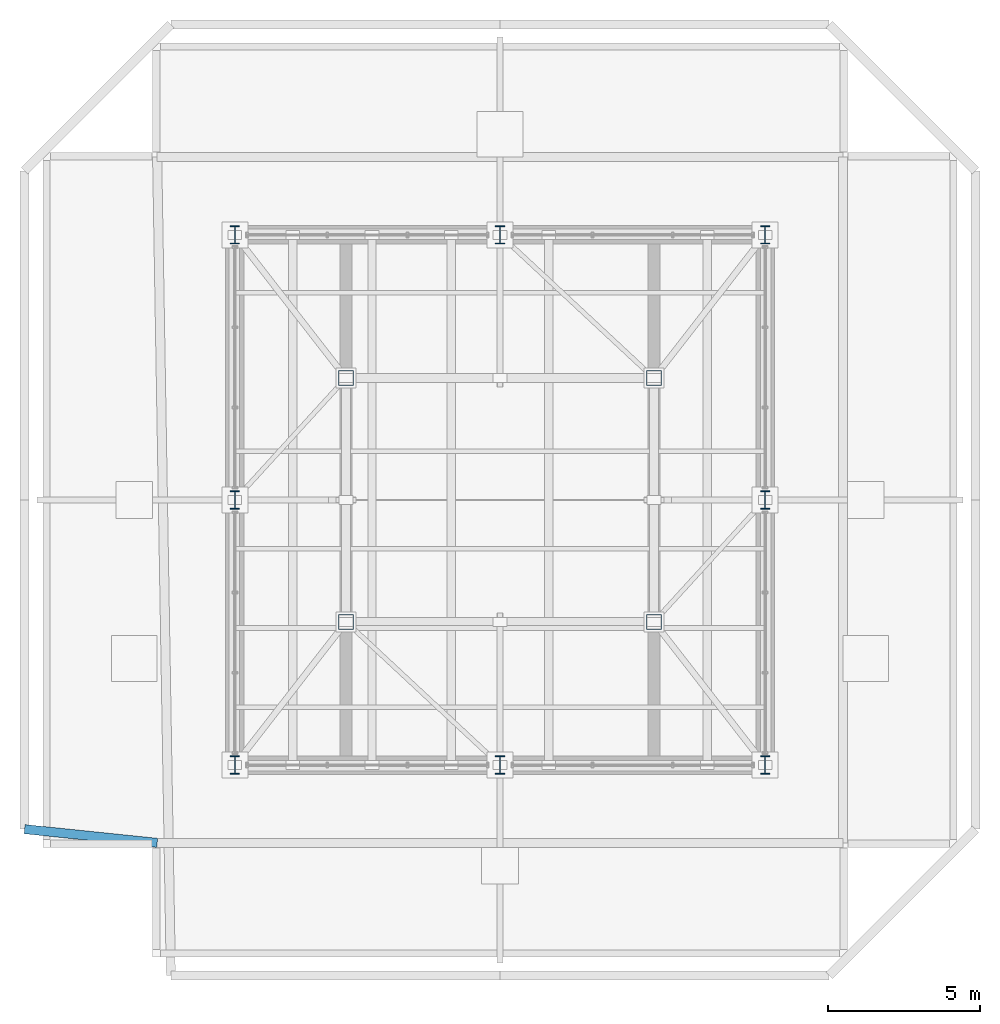
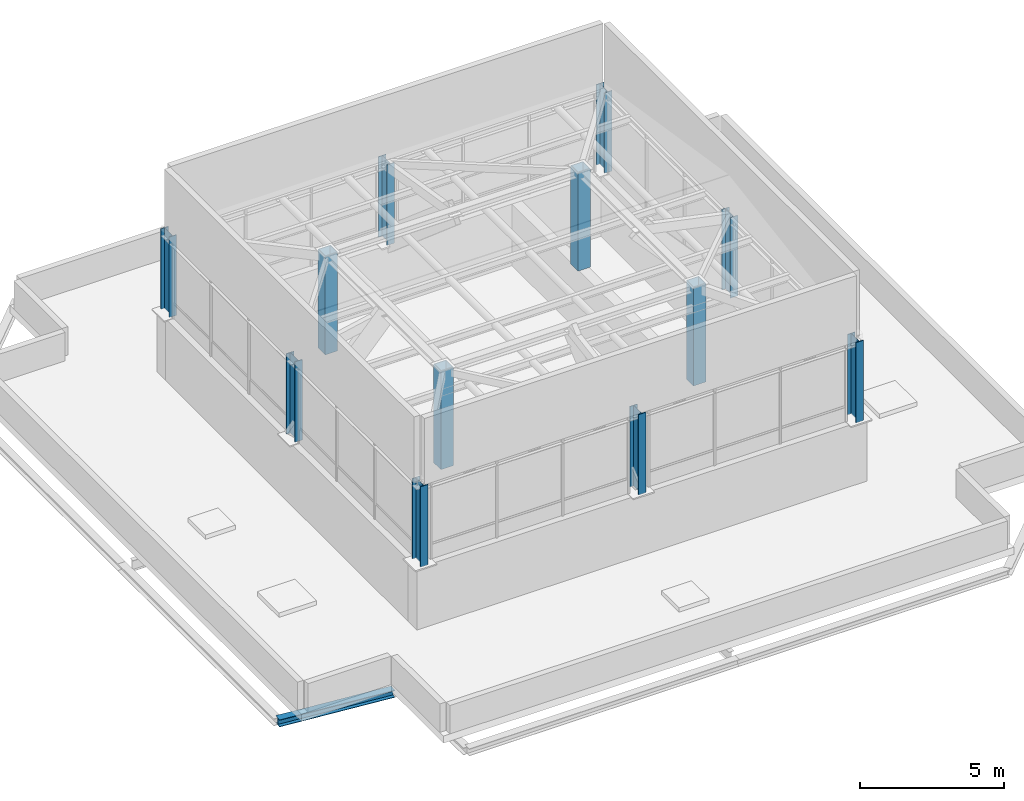
# One storey, part 1 of 22: 12 columns, 1 beam.
"""IFC4 building model written with IfcOpenShell, lengths in metres."""

import ifcopenshell
import ifcopenshell.guid

model = None  # the IFC model being written
_history = None  # IfcOwnerHistory: only IFC2X3 demands one
_inside = {}  # id of a spatial element -> (the spatial element, [elements in it])
_under = {}  # id of a project, library or spatial element -> (it, [spatial elements below it])
_declared = {}  # id of a project -> (the project, [libraries it declares])
_typed = {}  # id of a type object -> (the type object, [elements of that type])
_made_of = {}  # id of a material, layer set ... -> (it, [elements and type objects made of it])


def new_model(schema):
    """Start an empty IFC model of exactly this schema.

    Asked for "IFC4X3", IfcOpenShell would pick the latest addendum, in which some entities
    have other attributes; the version numbers below select the first issue.
    IFC2X3 requires an IfcOwnerHistory on every rooted entity: one is made here for all.
    """
    global model, _history
    if schema == "IFC4X3":
        model = ifcopenshell.file(schema_version=(4, 3, 0, 0))
    else:
        model = ifcopenshell.file(schema=schema)
    _inside.clear()
    _under.clear()
    _declared.clear()
    _typed.clear()
    _made_of.clear()
    _history = None
    if model.schema == "IFC2X3":
        org = make("IfcOrganization", Name="unknown")
        user = make(
            "IfcPersonAndOrganization",
            ThePerson=make("IfcPerson", FamilyName="unknown"),
            TheOrganization=org,
        )
        app = make(
            "IfcApplication",
            ApplicationDeveloper=org,
            Version="unknown",
            ApplicationFullName="unknown",
            ApplicationIdentifier="unknown",
        )
        _history = make(
            "IfcOwnerHistory",
            OwningUser=user,
            OwningApplication=app,
            ChangeAction="ADDED",
            CreationDate=0,
        )
    return model


def make(cls, **values):
    """One entity of the class cls with the attributes given. An attribute that is None is left unset."""
    return model.create_entity(
        cls, **{name: value for name, value in values.items() if value is not None}
    )


def rooted(cls, **values):
    """An entity with a GlobalId (a new one), such as an element, a storey or a relation."""
    return make(cls, GlobalId=ifcopenshell.guid.new(), OwnerHistory=_history, **values)


def si_unit(unit_type, name, prefix=None):
    """IfcSIUnit, for example si_unit("LENGTHUNIT", "METRE", prefix="MILLI")."""
    return make("IfcSIUnit", UnitType=unit_type, Prefix=prefix, Name=name)


def assignment(units):
    """IfcUnitAssignment: the units of a project."""
    return None if units is None else make("IfcUnitAssignment", Units=units)


def point(xyz):
    """IfcCartesianPoint."""
    return None if xyz is None else make("IfcCartesianPoint", Coordinates=xyz)


def direction(xyz):
    """IfcDirection."""
    return None if xyz is None else make("IfcDirection", DirectionRatios=xyz)


def frame(location, z_axis=None, x_axis=None):
    """IfcAxis2Placement3D, a coordinate frame: its origin and axes. An axis left out is left unset."""
    return make(
        "IfcAxis2Placement3D",
        Location=point(location),
        Axis=direction(z_axis),
        RefDirection=direction(x_axis),
    )


def frame_2d(location, x_axis=None):
    """IfcAxis2Placement2D, a coordinate frame in the plane: its origin and x axis."""
    return make(
        "IfcAxis2Placement2D", Location=point(location), RefDirection=direction(x_axis)
    )


def origin():
    """The frame at (0, 0, 0) with its axes left unset."""
    return frame((0.0, 0.0, 0.0))


def origin_2d():
    """The frame at (0, 0) in the plane with its x axis left unset."""
    return frame_2d((0.0, 0.0))


def place(relative_to, where):
    """IfcLocalPlacement: puts the frame where relative to a parent placement (None: the world)."""
    return make(
        "IfcLocalPlacement", PlacementRelTo=relative_to, RelativePlacement=where
    )


def context(
    kind, dimensions, precision=None, world=None, true_north=None, identifier=None
):
    """IfcGeometricRepresentationContext, for example the 3D "Model" context."""
    return make(
        "IfcGeometricRepresentationContext",
        ContextIdentifier=identifier,
        ContextType=kind,
        CoordinateSpaceDimension=dimensions,
        Precision=precision,
        WorldCoordinateSystem=world,
        TrueNorth=true_north,
    )


def subcontext(parent, identifier, kind, view, scale=None):
    """IfcGeometricRepresentationSubContext, for example "Body" below "Model"."""
    return make(
        "IfcGeometricRepresentationSubContext",
        ContextIdentifier=identifier,
        ContextType=kind,
        ParentContext=parent,
        TargetScale=scale,
        TargetView=view,
    )


def project(units=None, contexts=None):
    """IfcProject with its units and contexts."""
    return rooted(
        "IfcProject",
        Name="project",
        RepresentationContexts=contexts,
        UnitsInContext=assignment(units),
    )


def spatial(cls, under=None, at=None, **own):
    """A site, building, storey or space (cls), placed at a placement, below another one or the project."""
    s = rooted(cls, ObjectPlacement=at, **own)
    if under is not None:
        _under.setdefault(under.id(), (under, []))[1].append(s)
    return s


def profile(cls, at=None, kind="AREA", **sizes):
    """A parametric profile (cls). Its sizes go by their IFC names, for example OverallWidth=200.0."""
    return make(cls, ProfileType=kind, Position=at, **sizes)


def hollow_rectangle(**sizes):
    """IfcRectangleHollowProfileDef."""
    return profile("IfcRectangleHollowProfileDef", **sizes)


def i_section(**sizes):
    """IfcIShapeProfileDef."""
    return profile("IfcIShapeProfileDef", **sizes)


def extrude(swept, where, along, depth):
    """IfcExtrudedAreaSolid: the profile swept, set in the frame where, extruded along a direction by depth."""
    return make(
        "IfcExtrudedAreaSolid",
        SweptArea=swept,
        Position=where,
        ExtrudedDirection=direction(along),
        Depth=depth,
    )


def shape(context_of_items, identifier, shape_type, items):
    """IfcShapeRepresentation: the items that make up one representation, for example the "Body"."""
    return make(
        "IfcShapeRepresentation",
        ContextOfItems=context_of_items,
        RepresentationIdentifier=identifier,
        RepresentationType=shape_type,
        Items=items,
    )


def material(Name=None, Category=None):
    """IfcMaterial."""
    return make("IfcMaterial", Name=Name, Category=Category)


def material_profile(
    of_material, cross_section, Name=None, Category=None, Priority=None
):
    """IfcMaterialProfile: a cross section and its material."""
    return make(
        "IfcMaterialProfile",
        Name=Name,
        Material=of_material,
        Profile=cross_section,
        Priority=Priority,
        Category=Category,
    )


def profile_set(profiles, Name=None, composite=None):
    """IfcMaterialProfileSet."""
    return make(
        "IfcMaterialProfileSet",
        Name=Name,
        MaterialProfiles=profiles,
        CompositeProfile=composite,
    )


def made_of(thing, what):
    """Note that an element or type object is made of a material, layer set ...; save() writes the relation."""
    if what is not None:
        _made_of.setdefault(what.id(), (what, []))[1].append(thing)
    return thing


def type_object(cls, material=None, **own):
    """A type object (cls), such as IfcWallType, which elements share."""
    return made_of(rooted(cls, **own), material)


def element(
    cls,
    number,
    at=None,
    inside=None,
    cuts=None,
    type_object=None,
    material=None,
    context=None,
    identifier="Body",
    shape_type=None,
    held_by="IfcProductDefinitionShape",
    body=None,
    shapes=None,
    **own,
):
    """One element of the class cls, such as IfcWall. Its Tag is "e" and its number.

    at: its placement. inside: the storey or other place that contains it. cuts: it is an
    opening in that element (IfcRelVoidsElement). A single representation is given by context,
    identifier, shape_type and body (its items); several are given by shapes. held_by: the class
    of the entity that holds the representations. save() writes the other relations.
    """
    e = rooted(cls, Tag="e%d" % number, ObjectPlacement=at, **own)
    if body is not None:
        shapes = [shape(context, identifier, shape_type, body)]
    if shapes is not None:
        e.Representation = make(held_by, Representations=shapes)
    if inside is not None:
        _inside.setdefault(inside.id(), (inside, []))[1].append(e)
    if cuts is not None:
        rooted(
            "IfcRelVoidsElement", RelatingBuildingElement=cuts, RelatedOpeningElement=e
        )
    if type_object is not None:
        _typed.setdefault(type_object.id(), (type_object, []))[1].append(e)
    return made_of(e, material)


def aggregate(whole, parts):
    """IfcRelAggregates: a whole, such as a stair, and the parts it consists of."""
    return rooted("IfcRelAggregates", RelatingObject=whole, RelatedObjects=parts)


def save(model, path):
    """Write the relations noted so far, then the file.

    IfcRelAggregates (storeys below a building ...), IfcRelContainedInSpatialStructure (elements
    in a storey), IfcRelDefinesByType, IfcRelAssociatesMaterial and IfcRelDeclares: one each for
    every whole, place, type object, material and project.
    """
    for whole, parts in _under.values():
        aggregate(whole, parts)
    for where, things in _inside.values():
        rooted(
            "IfcRelContainedInSpatialStructure",
            RelatedElements=things,
            RelatingStructure=where,
        )
    for kind, things in _typed.values():
        rooted("IfcRelDefinesByType", RelatedObjects=things, RelatingType=kind)
    for what, things in _made_of.values():
        rooted("IfcRelAssociatesMaterial", RelatedObjects=things, RelatingMaterial=what)
    for by, libraries in _declared.values():
        rooted("IfcRelDeclares", RelatingContext=by, RelatedDefinitions=libraries)
    model.write(path)


model = new_model("IFC4")

# Units and contexts
model_context = context("Model", 3, precision=1e-05, world=origin(), true_north=direction((0.0, 1.0)))
body_context = subcontext(model_context, "Body", "Model", "MODEL_VIEW")
ifc_project = project(units=[si_unit("LENGTHUNIT", "METRE"), si_unit("AREAUNIT", "SQUARE_METRE"), si_unit("VOLUMEUNIT", "CUBIC_METRE"), si_unit("PLANEANGLEUNIT", "RADIAN"), si_unit("MASSUNIT", "GRAM", prefix="KILO")], contexts=[model_context])

# Site, building, storey
site_placement = place(None, origin())
site = spatial("IfcSite", under=ifc_project, at=site_placement, CompositionType="ELEMENT")
building_placement = place(site_placement, origin())
building = spatial("IfcBuilding", under=site, at=building_placement, Name="Belovzor Exchange Tower", CompositionType="ELEMENT")
storey_placement = place(building_placement, frame((0.0, 0.0, 378.60009765625)))
storey = spatial("IfcBuildingStorey", under=building, at=storey_placement, Name="RF", CompositionType="ELEMENT", Elevation=378.60009765625)

# Columns
ifc_material_1 = material(Name="Steel S355", Category="steel")
ifc_material_profile_1 = material_profile(ifc_material_1, hollow_rectangle(XDim=0.5, YDim=0.5, WallThickness=0.02490234375, at=origin_2d()))
ifc_profile_set_1 = profile_set([ifc_material_profile_1], Name="Steel S355")
column_type_1 = type_object("IfcColumnType", Name="Crown Lantern Corner Post SHS 500x500x25", PredefinedType="COLUMN", material=ifc_profile_set_1)
for number, where, z_axis, x_axis, name in (
    (1, (23.75, 24.800048828125, 2.599853515625), (0.0, 0.0, 1.0), (1.0, 0.0, 0.0), "RCL-2 Crown Lantern Corner Post SHS 500x500x25"),
    (2, (33.85009765625, 24.800048828125, 2.599853515625), (0.0, 0.0, 1.0), (1.0, 0.0, 0.0), "RCL-2 Crown Lantern Corner Post SHS 500x500x25"),
    (3, (33.85009765625, 32.800048828125, 2.599853515625), (0.0, 0.0, 1.0), (1.0, 0.0, 0.0), "RCL-2 Crown Lantern Corner Post SHS 500x500x25"),
    (4, (23.75, 32.800048828125, 2.599853515625), (0.0, 0.0, 1.0), (1.0, 0.0, 0.0), "RCL-2 Crown Lantern Corner Post SHS 500x500x25"),
):
    element("IfcColumn", number, at=place(storey_placement, frame(where, z_axis=z_axis, x_axis=x_axis)), inside=storey, type_object=column_type_1, Name=name, PredefinedType="COLUMN", context=body_context, shape_type="SweptSolid", body=[
        extrude(hollow_rectangle(XDim=0.5, YDim=0.5, WallThickness=0.02490234375, at=origin_2d()), origin(), (0.0, 0.0, 1.0), 4.170166015625),
    ])
ifc_material_2 = material(Name="Steel S355", Category="steel")
ifc_material_profile_2 = material_profile(ifc_material_2, i_section(OverallWidth=0.300048828125, OverallDepth=0.60009765625, WebThickness=0.015380859375, FlangeThickness=0.030029296875, at=origin_2d()))
ifc_profile_set_2 = profile_set([ifc_material_profile_2], Name="Steel S355")
column_type_2 = type_object("IfcColumnType", Name="Crown Portal Steel Column HEB 600", PredefinedType="COLUMN", material=ifc_profile_set_2)
for number, where, z_axis, x_axis, name in (
    (5, (20.10009765625, 20.10009765625, 2.599853515625), (0.0, 0.0, 1.0), (1.0, 0.0, 0.0), "RCL-1 Crown Portal Steel Column HEB 600"),
    (6, (28.800048828125, 20.10009765625, 2.599853515625), (0.0, 0.0, 1.0), (1.0, 0.0, 0.0), "RCL-1 Crown Portal Steel Column HEB 600"),
    (7, (37.5, 20.10009765625, 2.599853515625), (0.0, 0.0, 1.0), (1.0, 0.0, 0.0), "RCL-1 Crown Portal Steel Column HEB 600"),
    (8, (37.5, 28.800048828125, 2.599853515625), (0.0, 0.0, 1.0), (1.0, 0.0, 0.0), "RCL-1 Crown Portal Steel Column HEB 600"),
    (9, (37.5, 37.5, 2.599853515625), (0.0, 0.0, 1.0), (1.0, 0.0, 0.0), "RCL-1 Crown Portal Steel Column HEB 600"),
    (10, (28.800048828125, 37.5, 2.599853515625), (0.0, 0.0, 1.0), (1.0, 0.0, 0.0), "RCL-1 Crown Portal Steel Column HEB 600"),
    (11, (20.10009765625, 37.5, 2.599853515625), (0.0, 0.0, 1.0), (1.0, 0.0, 0.0), "RCL-1 Crown Portal Steel Column HEB 600"),
    (12, (20.10009765625, 28.800048828125, 2.599853515625), (0.0, 0.0, 1.0), (1.0, 0.0, 0.0), "RCL-1 Crown Portal Steel Column HEB 600"),
):
    element("IfcColumn", number, at=place(storey_placement, frame(where, z_axis=z_axis, x_axis=x_axis)), inside=storey, type_object=column_type_2, Name=name, PredefinedType="COLUMN", context=body_context, shape_type="SweptSolid", body=[
        extrude(i_section(OverallWidth=0.300048828125, OverallDepth=0.60009765625, WebThickness=0.015380859375, FlangeThickness=0.030029296875, at=origin_2d()), origin(), (0.0, 0.0, 1.0), 3.400146484375),
    ])

# Beam
ifc_material_3 = material(Name="Steel S355", Category="steel")
ifc_material_profile_3 = material_profile(ifc_material_3, i_section(OverallWidth=0.300048828125, OverallDepth=0.300048828125, WebThickness=0.010986328125, FlangeThickness=0.01904296875, at=origin_2d()))
ifc_profile_set_3 = profile_set([ifc_material_profile_3], Name="Steel S355")
beam_type = type_object("IfcBeamType", Name="Crown Plant Primary Beam HEB 300", PredefinedType="BEAM", material=ifc_profile_set_3)
beam_placement = place(storey_placement, frame((13.199951171875, 18.0, -0.4501953125), z_axis=(0.994693172948, -0.102885818708, 0.0), x_axis=(0.102885818708, 0.994693172948, 0.0)))
element("IfcBeam", 13, at=beam_placement, inside=storey, type_object=beam_type, Name="FG-CR Crown Plant Primary Beam HEB 300", PredefinedType="BEAM", context=body_context, shape_type="SweptSolid", body=[
    extrude(i_section(OverallWidth=0.300048828125, OverallDepth=0.300048828125, WebThickness=0.010986328125, FlangeThickness=0.01904296875, at=origin_2d()), origin(), (0.0, 0.0, 1.0), 4.373291015625),
])

save(model, "model.ifc")
